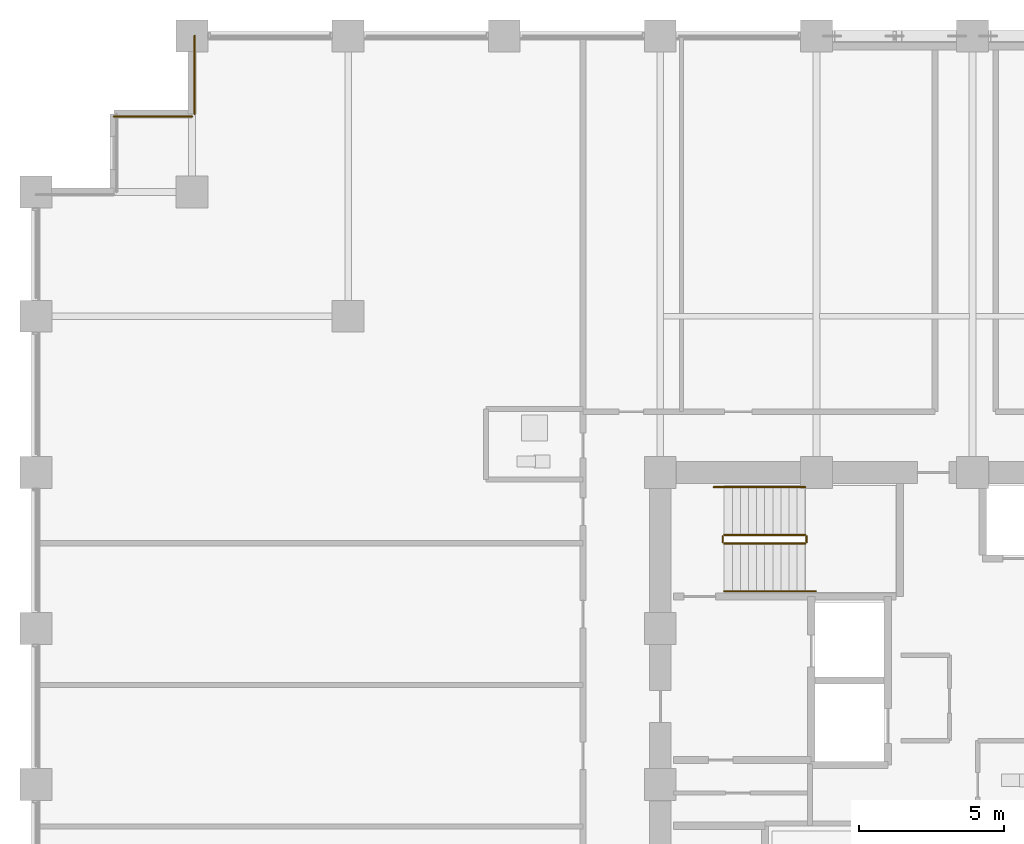
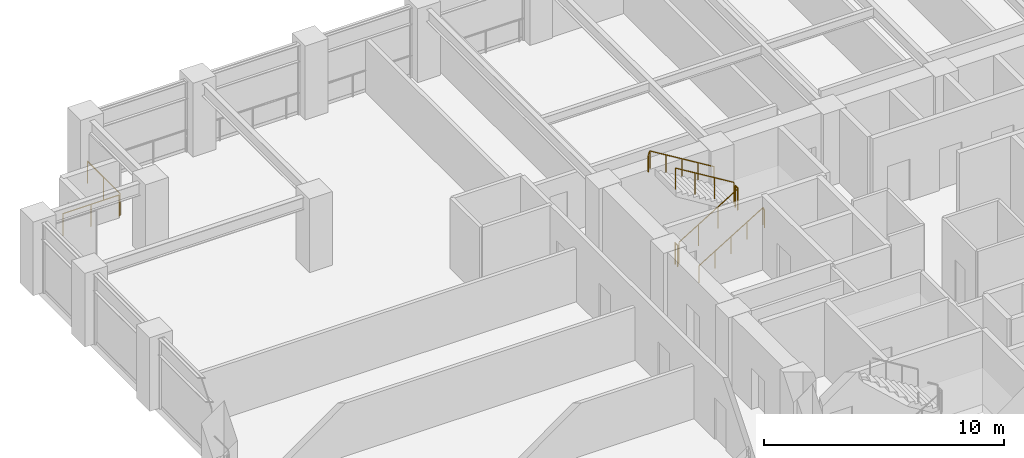
# One storey, part 27 of 30: 8 railings.
"""IFC4 building model written with IfcOpenShell, lengths in metres."""

from ifc_helpers import new_model, si_unit, direction, frame, origin, origin_2d, place, context, subcontext, project, spatial, circle, extrude, material, type_object, element, save


model = new_model("IFC4")

# Units and contexts
model_context = context("Model", 3, precision=1e-05, world=origin(), true_north=direction((0.0, 1.0)))
body_context = subcontext(model_context, "Body", "Model", "MODEL_VIEW")
ifc_project = project(units=[si_unit("LENGTHUNIT", "METRE"), si_unit("AREAUNIT", "SQUARE_METRE"), si_unit("VOLUMEUNIT", "CUBIC_METRE"), si_unit("PLANEANGLEUNIT", "RADIAN"), si_unit("MASSUNIT", "GRAM", prefix="KILO")], contexts=[model_context])

# Site, building, storey
site_placement = place(None, origin())
site = spatial("IfcSite", under=ifc_project, at=site_placement, CompositionType="ELEMENT")
building_placement = place(site_placement, origin())
building = spatial("IfcBuilding", under=site, at=building_placement, Name="Surkhivell Harbour Commons", CompositionType="ELEMENT")
storey_placement = place(building_placement, frame((0.0, 0.0, 83.25)))
storey = spatial("IfcBuildingStorey", under=building, at=storey_placement, Name="L21", CompositionType="ELEMENT", Elevation=83.25)

# Railings
ifc_material_1 = material(Name="Laminated safety glass and stainless steel S355 balustrade", Category="steel")
railing_type_1 = type_object("IfcRailingType", Name="RAL-BAL-1150", PredefinedType="BALUSTRADE", material=ifc_material_1)
railing_1_placement = place(storey_placement, frame((-26.909912109375, 25.89990234375, 0.0)))
element("IfcRailing", 1, at=railing_1_placement, inside=storey, type_object=railing_type_1, Name="L21 Perimeter Safety Guard 09", PredefinedType="BALUSTRADE", context=body_context, shape_type="SweptSolid", body=[
    extrude(circle(Radius=0.02392578125, at=origin_2d()), frame((0.0, 0.0, 1.1259765625), z_axis=(0.0, -1.0, 0.0), x_axis=(1.0, 0.0, 0.0)), (0.0, 0.0, 1.0), 2.699951171875),
    extrude(circle(Radius=0.02099609375, at=origin_2d()), origin(), (0.0, 0.0, 1.0), 1.101806640625),
    extrude(circle(Radius=0.02099609375, at=origin_2d()), frame((0.0, -1.35009765625, 0.0)), (0.0, 0.0, 1.0), 1.101806640625),
    extrude(circle(Radius=0.02099609375, at=origin_2d()), frame((0.0, -2.699951171875, 0.0)), (0.0, 0.0, 1.0), 1.101806640625),
])
railing_2_placement = place(storey_placement, frame((-27.0, 23.110107421875, 0.0)))
element("IfcRailing", 2, at=railing_2_placement, inside=storey, type_object=railing_type_1, Name="L21 Perimeter Safety Guard 10", PredefinedType="BALUSTRADE", context=body_context, shape_type="SweptSolid", body=[
    extrude(circle(Radius=0.02392578125, at=origin_2d()), frame((0.0, 0.0, 1.1259765625), z_axis=(-1.0, 0.0, 0.0), x_axis=(0.0, -1.0, 0.0)), (0.0, 0.0, 1.0), 2.699951171875),
    extrude(circle(Radius=0.02099609375, at=origin_2d()), origin(), (0.0, 0.0, 1.0), 1.101806640625),
    extrude(circle(Radius=0.02099609375, at=origin_2d()), frame((-1.35009765625, 0.0, 0.0)), (0.0, 0.0, 1.0), 1.101806640625),
    extrude(circle(Radius=0.02099609375, at=origin_2d()), frame((-2.699951171875, 0.0, 0.0)), (0.0, 0.0, 1.0), 1.101806640625),
])
ifc_material_2 = material(Name="Galvanised and painted steel S355 guard rail", Category="steel")
railing_type_2 = type_object("IfcRailingType", Name="RAL-ST-GRD1100", PredefinedType="GUARDRAIL", material=ifc_material_2)
railing_3_placement = place(storey_placement, frame((-8.590087890625, 8.340087890625, 0.17041015625)))
element("IfcRailing", 3, at=railing_3_placement, inside=storey, type_object=railing_type_2, Name="L21 ST1 stair guard 1", PredefinedType="GUARDRAIL", context=body_context, shape_type="SweptSolid", body=[
    extrude(circle(Radius=0.02392578125, at=origin_2d()), frame((0.0, 0.0, 1.076171875), z_axis=(0.854169791009, 0.0, 0.51999420009), x_axis=(0.0, 1.0, 0.0)), (0.0, 0.0, 1.0), 3.278076171875),
    extrude(circle(Radius=0.02099609375, at=origin_2d()), origin(), (0.0, 0.0, 1.0), 1.052001953125),
    extrude(circle(Radius=0.02099609375, at=origin_2d()), frame((0.933349609375, 0.0, 0.568115234375)), (0.0, 0.0, 1.0), 1.052001953125),
    extrude(circle(Radius=0.02099609375, at=origin_2d()), frame((1.86669921875, 0.0, 1.136474609375)), (0.0, 0.0, 1.0), 1.052001953125),
    extrude(circle(Radius=0.02099609375, at=origin_2d()), frame((2.800048828125, 0.0, 1.70458984375)), (0.0, 0.0, 1.0), 1.052001953125),
])
railing_4_placement = place(storey_placement, frame((-5.739990234375, 8.389892578125, 1.875)))
element("IfcRailing", 4, at=railing_4_placement, inside=storey, type_object=railing_type_2, Name="L21 ST1 stair guard 2", PredefinedType="GUARDRAIL", context=body_context, shape_type="SweptSolid", body=[
    extrude(circle(Radius=0.02392578125, at=origin_2d()), frame((0.0, 0.0, 1.076171875), z_axis=(0.0, 1.0, 0.0), x_axis=(-1.0, 0.0, 0.0)), (0.0, 0.0, 1.0), 0.2001953125),
    extrude(circle(Radius=0.02099609375, at=origin_2d()), origin(), (0.0, 0.0, 1.0), 1.052001953125),
    extrude(circle(Radius=0.02099609375, at=origin_2d()), frame((0.0, 0.2001953125, 0.0)), (0.0, 0.0, 1.0), 1.052001953125),
])
railing_5_placement = place(storey_placement, frame((-5.7900390625, 8.639892578125, 2.04541015625)))
element("IfcRailing", 5, at=railing_5_placement, inside=storey, type_object=railing_type_2, Name="L21 ST1 stair guard 3", PredefinedType="GUARDRAIL", context=body_context, shape_type="SweptSolid", body=[
    extrude(circle(Radius=0.02392578125, at=origin_2d()), frame((0.0, 0.0, 1.076171875), z_axis=(-0.854169791009, 0.0, 0.51999420009), x_axis=(0.0, -1.0, 0.0)), (0.0, 0.0, 1.0), 3.278076171875),
    extrude(circle(Radius=0.02099609375, at=origin_2d()), origin(), (0.0, 0.0, 1.0), 1.052001953125),
    extrude(circle(Radius=0.02099609375, at=origin_2d()), frame((-0.933349609375, 0.0, 0.568115234375)), (0.0, 0.0, 1.0), 1.052001953125),
    extrude(circle(Radius=0.02099609375, at=origin_2d()), frame((-1.86669921875, 0.0, 1.136474609375)), (0.0, 0.0, 1.0), 1.052001953125),
    extrude(circle(Radius=0.02099609375, at=origin_2d()), frame((-2.800048828125, 0.0, 1.70458984375)), (0.0, 0.0, 1.0), 1.052001953125),
])
railing_6_placement = place(storey_placement, frame((-8.639892578125, 8.389892578125, 0.0)))
element("IfcRailing", 6, at=railing_6_placement, inside=storey, type_object=railing_type_2, Name="L21 ST1 stair guard 4", PredefinedType="GUARDRAIL", context=body_context, shape_type="SweptSolid", body=[
    extrude(circle(Radius=0.02392578125, at=origin_2d()), frame((0.0, 0.0, 1.076171875), z_axis=(0.0, 1.0, 0.0), x_axis=(-1.0, 0.0, 0.0)), (0.0, 0.0, 1.0), 0.2001953125),
    extrude(circle(Radius=0.02099609375, at=origin_2d()), origin(), (0.0, 0.0, 1.0), 1.052001953125),
    extrude(circle(Radius=0.02099609375, at=origin_2d()), frame((0.0, 0.2001953125, 0.0)), (0.0, 0.0, 1.0), 1.052001953125),
])
ifc_material_3 = material(Name="Brushed stainless steel S355 handrail", Category="steel")
railing_type_3 = type_object("IfcRailingType", Name="RAL-ST-HND900", PredefinedType="HANDRAIL", material=ifc_material_3)
railing_7_placement = place(storey_placement, frame((-8.590087890625, 6.68994140625, 0.17041015625)))
element("IfcRailing", 7, at=railing_7_placement, inside=storey, type_object=railing_type_3, Name="L21 ST1 stair handrail 1", PredefinedType="HANDRAIL", context=body_context, shape_type="SweptSolid", body=[
    extrude(circle(Radius=0.02392578125, at=origin_2d()), frame((0.0, 0.0, 0.8759765625), z_axis=(0.854177636135, 0.0, 0.519981313056), x_axis=(0.0, 1.0, 0.0)), (0.0, 0.0, 1.0), 3.60595703125),
    extrude(circle(Radius=0.02392578125, at=origin_2d()), frame((3.080078125, 0.0, 2.7509765625), z_axis=(0.425297416671, 0.0, -0.905053648892), x_axis=(0.0, 1.0, 0.0)), (0.0, 0.0, 1.0), 0.188232421875),
    extrude(circle(Radius=0.02099609375, at=origin_2d()), origin(), (0.0, 0.0, 1.0), 0.851806640625),
    extrude(circle(Radius=0.02099609375, at=origin_2d()), frame((0.77001953125, 0.0, 0.46875)), (0.0, 0.0, 1.0), 0.851806640625),
    extrude(circle(Radius=0.02099609375, at=origin_2d()), frame((1.5400390625, 0.0, 0.9375)), (0.0, 0.0, 1.0), 0.851806640625),
    extrude(circle(Radius=0.02099609375, at=origin_2d()), frame((2.31005859375, 0.0, 1.40625)), (0.0, 0.0, 1.0), 0.851806640625),
    extrude(circle(Radius=0.02099609375, at=origin_2d()), frame((3.080078125, 0.0, 1.875)), (0.0, 0.0, 1.0), 0.851806640625),
    extrude(circle(Radius=0.02099609375, at=origin_2d()), frame((3.16015625, 0.0, 1.70458984375)), (0.0, 0.0, 1.0), 0.851806640625),
])
railing_8_placement = place(storey_placement, frame((-5.7900390625, 10.2900390625, 2.04541015625)))
element("IfcRailing", 8, at=railing_8_placement, inside=storey, type_object=railing_type_3, Name="L21 ST1 stair handrail 2", PredefinedType="HANDRAIL", context=body_context, shape_type="SweptSolid", body=[
    extrude(circle(Radius=0.02392578125, at=origin_2d()), frame((0.0, 0.0, 0.8759765625), z_axis=(-0.854177636135, 0.0, 0.519981313056), x_axis=(0.0, -1.0, 0.0)), (0.0, 0.0, 1.0), 3.60595703125),
    extrude(circle(Radius=0.02392578125, at=origin_2d()), frame((-3.080078125, 0.0, 2.7509765625), z_axis=(-0.424234432967, 0.0, -0.905552398199), x_axis=(0.0, -1.0, 0.0)), (0.0, 0.0, 1.0), 0.188232421875),
    extrude(circle(Radius=0.02099609375, at=origin_2d()), origin(), (0.0, 0.0, 1.0), 0.851806640625),
    extrude(circle(Radius=0.02099609375, at=origin_2d()), frame((-0.77001953125, 0.0, 0.46875)), (0.0, 0.0, 1.0), 0.851806640625),
    extrude(circle(Radius=0.02099609375, at=origin_2d()), frame((-1.5400390625, 0.0, 0.9375)), (0.0, 0.0, 1.0), 0.851806640625),
    extrude(circle(Radius=0.02099609375, at=origin_2d()), frame((-2.31005859375, 0.0, 1.40625)), (0.0, 0.0, 1.0), 0.851806640625),
    extrude(circle(Radius=0.02099609375, at=origin_2d()), frame((-3.080078125, 0.0, 1.875)), (0.0, 0.0, 1.0), 0.851806640625),
    extrude(circle(Radius=0.02099609375, at=origin_2d()), frame((-3.159912109375, 0.0, 1.70458984375)), (0.0, 0.0, 1.0), 0.851806640625),
])

save(model, "model.ifc")
